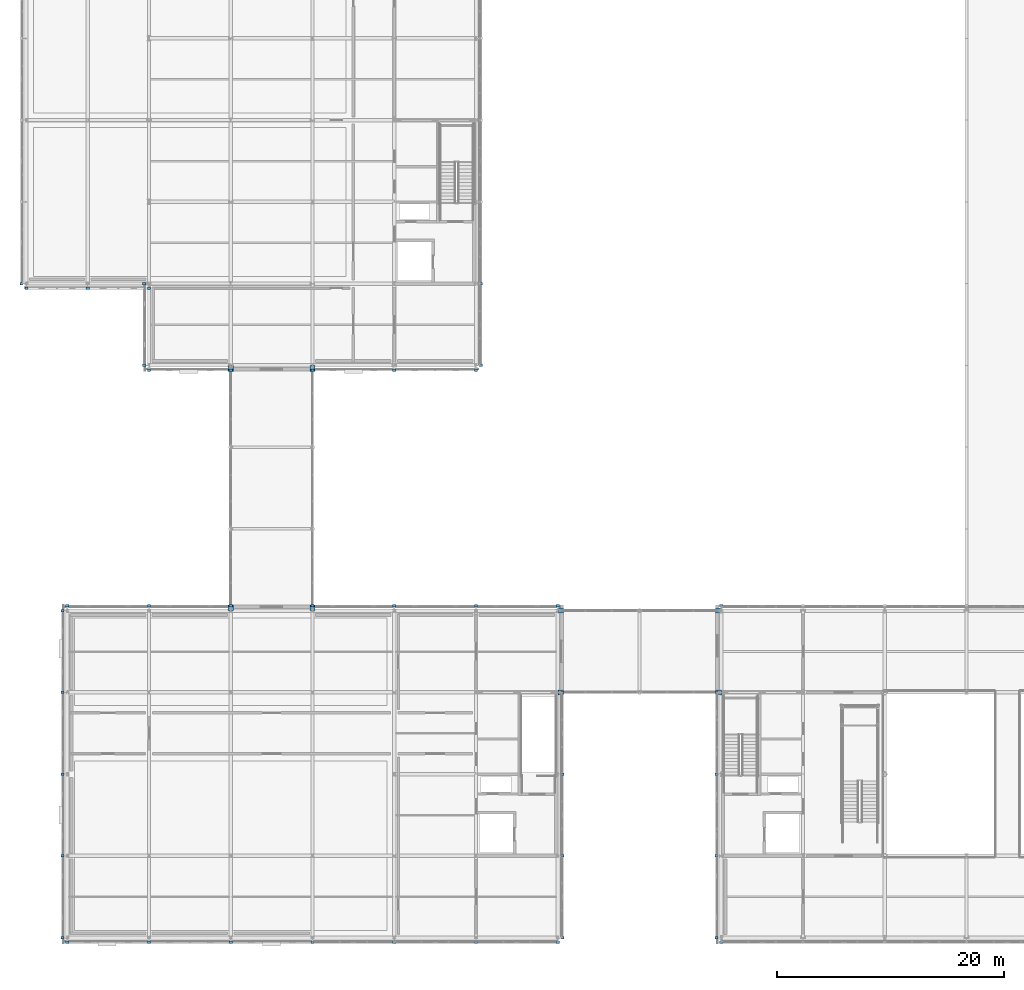
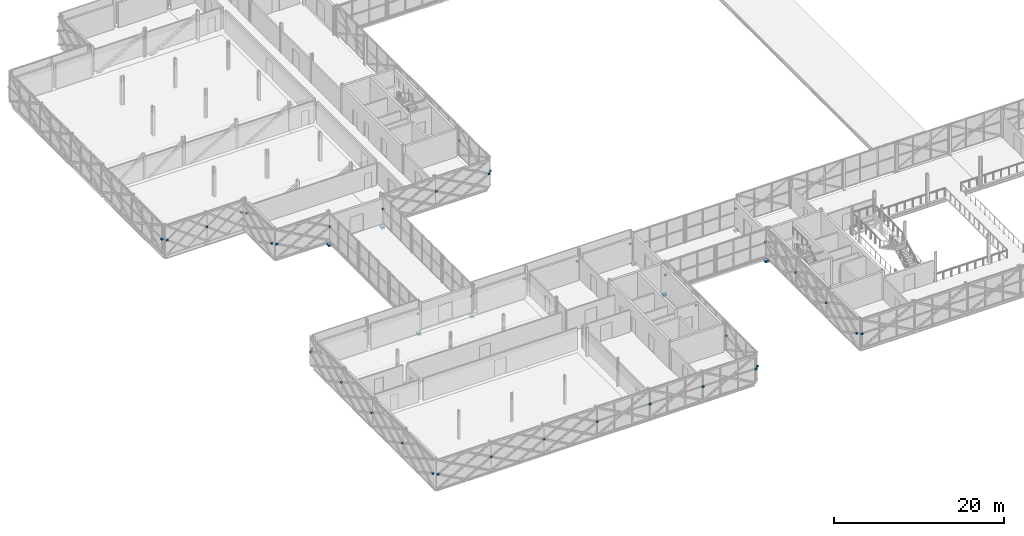
# One storey, part 111 of 126: 50 discrete accessories.
"""IFC4 building model written with IfcOpenShell, lengths in metres."""

from ifc_helpers import new_model, si_unit, direction, frame, origin, origin_2d, place, context, subcontext, project, spatial, rectangle, extrude, material, type_object, element, save


model = new_model("IFC4")

# Units and contexts
model_context = context("Model", 3, precision=1e-05, world=origin(), true_north=direction((0.0, 1.0)))
body_context = subcontext(model_context, "Body", "Model", "MODEL_VIEW")
ifc_project = project(units=[si_unit("LENGTHUNIT", "METRE"), si_unit("AREAUNIT", "SQUARE_METRE"), si_unit("VOLUMEUNIT", "CUBIC_METRE"), si_unit("PLANEANGLEUNIT", "RADIAN"), si_unit("MASSUNIT", "GRAM", prefix="KILO")], contexts=[model_context])

# Site, building, storey
site_placement = place(None, origin())
site = spatial("IfcSite", under=ifc_project, at=site_placement, CompositionType="ELEMENT")
building_placement = place(site_placement, origin())
building = spatial("IfcBuilding", under=site, at=building_placement, Name="Zlatovets Crest Museum", CompositionType="ELEMENT")
storey_placement = place(building_placement, frame((0.0, 0.0, 8.699951171875)))
storey = spatial("IfcBuildingStorey", under=building, at=storey_placement, Name="L02", CompositionType="ELEMENT", Elevation=8.699951171875)

# Discrete accessories
ifc_material = material(Name="Structural steel S355J2", Category="steel")
discrete_accessory_type_1 = type_object("IfcDiscreteAccessoryType", Name="BridgeBearingSeat_BS01", PredefinedType="SHOE", material=ifc_material)
for number, where, z_axis, x_axis, name in (
    (1, (43.4599609375, 21.60009765625, -0.7998046875), (0.0, 0.0, 1.0), (1.0, 0.0, 0.0), "South Forecourt Glazed Link Bridge L02 520mm Sliding Bearing Seat Corbel Shoe"),
    (2, (43.4599609375, 28.800048828125, -0.7998046875), (0.0, 0.0, 1.0), (1.0, 0.0, 0.0), "South Forecourt Glazed Link Bridge L02 520mm Sliding Bearing Seat Corbel Shoe"),
    (3, (57.340087890625, 21.60009765625, -0.7998046875), (0.0, 0.0, 1.0), (1.0, 0.0, 0.0), "South Forecourt Glazed Link Bridge L02 520mm Sliding Bearing Seat Corbel Shoe"),
    (4, (57.340087890625, 28.800048828125, -0.7998046875), (0.0, 0.0, 1.0), (1.0, 0.0, 0.0), "South Forecourt Glazed Link Bridge L02 520mm Sliding Bearing Seat Corbel Shoe"),
):
    element("IfcDiscreteAccessory", number, at=place(storey_placement, frame(where, z_axis=z_axis, x_axis=x_axis)), inside=storey, type_object=discrete_accessory_type_1, Name=name, PredefinedType="SHOE", context=body_context, shape_type="SweptSolid", body=[
        extrude(rectangle(XDim=0.52001953125, YDim=0.449951171875, at=origin_2d()), origin(), (0.0, 0.0, 1.0), 0.280029296875),
    ])
for number, where, z_axis, x_axis, name in (
    (5, (14.39990234375, 29.06005859375, -0.759765625), (0.0, 0.0, 1.0), (1.0, 0.0, 0.0), "West Hillside Glazed Link Bridge L02 520mm Sliding Bearing Seat Corbel Shoe"),
    (6, (21.60009765625, 29.06005859375, -0.759765625), (0.0, 0.0, 1.0), (1.0, 0.0, 0.0), "West Hillside Glazed Link Bridge L02 520mm Sliding Bearing Seat Corbel Shoe"),
    (7, (14.39990234375, 50.139892578125, -0.759765625), (0.0, 0.0, 1.0), (1.0, 0.0, 0.0), "West Hillside Glazed Link Bridge L02 520mm Sliding Bearing Seat Corbel Shoe"),
    (8, (21.60009765625, 50.139892578125, -0.759765625), (0.0, 0.0, 1.0), (1.0, 0.0, 0.0), "West Hillside Glazed Link Bridge L02 520mm Sliding Bearing Seat Corbel Shoe"),
):
    element("IfcDiscreteAccessory", number, at=place(storey_placement, frame(where, z_axis=z_axis, x_axis=x_axis)), inside=storey, type_object=discrete_accessory_type_1, Name=name, PredefinedType="SHOE", context=body_context, shape_type="SweptSolid", body=[
        extrude(rectangle(XDim=0.449951171875, YDim=0.52001953125, at=origin_2d()), origin(), (0.0, 0.0, 1.0), 0.280029296875),
    ])
discrete_accessory_type_2 = type_object("IfcDiscreteAccessoryType", Name="LatticeBracket_BK01", PredefinedType="BRACKET", material=ifc_material)
for number, where, z_axis, x_axis, name in (
    (9, (57.60009765625, -0.419921875, 1.990234375), (0.0, 0.0, 1.0), (1.0, 0.0, 0.0), "Bronze Lattice Structural Collector Bracket"),
    (10, (57.60009765625, 29.219970703125, 1.990234375), (0.0, 0.0, 1.0), (1.0, 0.0, 0.0), "Bronze Lattice Structural Collector Bracket"),
    (11, (57.179931640625, 21.60009765625, 1.990234375), (0.0, 0.0, 1.0), (1.0, 0.0, 0.0), "Bronze Lattice Structural Collector Bracket"),
    (12, (57.179931640625, 14.39990234375, 1.990234375), (0.0, 0.0, 1.0), (1.0, 0.0, 0.0), "Bronze Lattice Structural Collector Bracket"),
    (13, (57.179931640625, 7.199951171875, 1.990234375), (0.0, 0.0, 1.0), (1.0, 0.0, 0.0), "Bronze Lattice Structural Collector Bracket"),
    (14, (57.179931640625, 0.0, 1.990234375), (0.0, 0.0, 1.0), (1.0, 0.0, 0.0), "Bronze Lattice Structural Collector Bracket"),
    (15, (0.0, -0.419921875, 1.990234375), (0.0, 0.0, 1.0), (1.0, 0.0, 0.0), "Bronze Lattice Structural Collector Bracket"),
    (16, (7.199951171875, -0.419921875, 1.990234375), (0.0, 0.0, 1.0), (1.0, 0.0, 0.0), "Bronze Lattice Structural Collector Bracket"),
    (17, (14.39990234375, -0.419921875, 1.990234375), (0.0, 0.0, 1.0), (1.0, 0.0, 0.0), "Bronze Lattice Structural Collector Bracket"),
    (18, (21.60009765625, -0.419921875, 1.990234375), (0.0, 0.0, 1.0), (1.0, 0.0, 0.0), "Bronze Lattice Structural Collector Bracket"),
    (19, (28.800048828125, -0.419921875, 1.990234375), (0.0, 0.0, 1.0), (1.0, 0.0, 0.0), "Bronze Lattice Structural Collector Bracket"),
    (20, (36.0, -0.419921875, 1.990234375), (0.0, 0.0, 1.0), (1.0, 0.0, 0.0), "Bronze Lattice Structural Collector Bracket"),
    (21, (43.199951171875, -0.419921875, 1.990234375), (0.0, 0.0, 1.0), (1.0, 0.0, 0.0), "Bronze Lattice Structural Collector Bracket"),
    (22, (43.6201171875, 0.0, 1.990234375), (0.0, 0.0, 1.0), (1.0, 0.0, 0.0), "Bronze Lattice Structural Collector Bracket"),
    (23, (43.6201171875, 7.199951171875, 1.990234375), (0.0, 0.0, 1.0), (1.0, 0.0, 0.0), "Bronze Lattice Structural Collector Bracket"),
    (24, (43.6201171875, 14.39990234375, 1.990234375), (0.0, 0.0, 1.0), (1.0, 0.0, 0.0), "Bronze Lattice Structural Collector Bracket"),
    (25, (43.6201171875, 21.60009765625, 1.990234375), (0.0, 0.0, 1.0), (1.0, 0.0, 0.0), "Bronze Lattice Structural Collector Bracket"),
    (26, (43.199951171875, 29.219970703125, 1.990234375), (0.0, 0.0, 1.0), (1.0, 0.0, 0.0), "Bronze Lattice Structural Collector Bracket"),
    (27, (36.0, 29.219970703125, 1.990234375), (0.0, 0.0, 1.0), (1.0, 0.0, 0.0), "Bronze Lattice Structural Collector Bracket"),
    (28, (28.800048828125, 29.219970703125, 1.990234375), (0.0, 0.0, 1.0), (1.0, 0.0, 0.0), "Bronze Lattice Structural Collector Bracket"),
    (29, (21.60009765625, 29.219970703125, 1.990234375), (0.0, 0.0, 1.0), (1.0, 0.0, 0.0), "Bronze Lattice Structural Collector Bracket"),
    (30, (14.39990234375, 29.219970703125, 1.990234375), (0.0, 0.0, 1.0), (1.0, 0.0, 0.0), "Bronze Lattice Structural Collector Bracket"),
    (31, (7.199951171875, 29.219970703125, 1.990234375), (0.0, 0.0, 1.0), (1.0, 0.0, 0.0), "Bronze Lattice Structural Collector Bracket"),
    (32, (0.0, 29.219970703125, 1.990234375), (0.0, 0.0, 1.0), (1.0, 0.0, 0.0), "Bronze Lattice Structural Collector Bracket"),
    (33, (-0.419921875, 28.800048828125, 1.990234375), (0.0, 0.0, 1.0), (1.0, 0.0, 0.0), "Bronze Lattice Structural Collector Bracket"),
    (34, (-0.419921875, 21.60009765625, 1.990234375), (0.0, 0.0, 1.0), (1.0, 0.0, 0.0), "Bronze Lattice Structural Collector Bracket"),
    (35, (-0.419921875, 14.39990234375, 1.990234375), (0.0, 0.0, 1.0), (1.0, 0.0, 0.0), "Bronze Lattice Structural Collector Bracket"),
    (36, (-0.419921875, 7.199951171875, 1.990234375), (0.0, 0.0, 1.0), (1.0, 0.0, 0.0), "Bronze Lattice Structural Collector Bracket"),
    (37, (-0.419921875, 0.0, 1.990234375), (0.0, 0.0, 1.0), (1.0, 0.0, 0.0), "Bronze Lattice Structural Collector Bracket"),
    (38, (7.199951171875, 49.97998046875, 1.990234375), (0.0, 0.0, 1.0), (1.0, 0.0, 0.0), "Bronze Lattice Structural Collector Bracket"),
    (39, (14.39990234375, 49.97998046875, 1.990234375), (0.0, 0.0, 1.0), (1.0, 0.0, 0.0), "Bronze Lattice Structural Collector Bracket"),
    (40, (21.60009765625, 49.97998046875, 1.990234375), (0.0, 0.0, 1.0), (1.0, 0.0, 0.0), "Bronze Lattice Structural Collector Bracket"),
    (41, (28.800048828125, 49.97998046875, 1.990234375), (0.0, 0.0, 1.0), (1.0, 0.0, 0.0), "Bronze Lattice Structural Collector Bracket"),
    (42, (36.0, 49.97998046875, 1.990234375), (0.0, 0.0, 1.0), (1.0, 0.0, 0.0), "Bronze Lattice Structural Collector Bracket"),
    (43, (36.419921875, 50.39990234375, 1.990234375), (0.0, 0.0, 1.0), (1.0, 0.0, 0.0), "Bronze Lattice Structural Collector Bracket"),
    (44, (36.419921875, 57.60009765625, 1.990234375), (0.0, 0.0, 1.0), (1.0, 0.0, 0.0), "Bronze Lattice Structural Collector Bracket"),
    (45, (-4.02001953125, 57.60009765625, 1.990234375), (0.0, 0.0, 1.0), (1.0, 0.0, 0.0), "Bronze Lattice Structural Collector Bracket"),
    (46, (-3.60009765625, 57.179931640625, 1.990234375), (0.0, 0.0, 1.0), (1.0, 0.0, 0.0), "Bronze Lattice Structural Collector Bracket"),
    (47, (1.800048828125, 57.179931640625, 1.990234375), (0.0, 0.0, 1.0), (1.0, 0.0, 0.0), "Bronze Lattice Structural Collector Bracket"),
    (48, (7.199951171875, 57.179931640625, 1.990234375), (0.0, 0.0, 1.0), (1.0, 0.0, 0.0), "Bronze Lattice Structural Collector Bracket"),
    (49, (6.780029296875, 57.60009765625, 1.990234375), (0.0, 0.0, 1.0), (1.0, 0.0, 0.0), "Bronze Lattice Structural Collector Bracket"),
    (50, (6.780029296875, 50.39990234375, 1.990234375), (0.0, 0.0, 1.0), (1.0, 0.0, 0.0), "Bronze Lattice Structural Collector Bracket"),
):
    element("IfcDiscreteAccessory", number, at=place(storey_placement, frame(where, z_axis=z_axis, x_axis=x_axis)), inside=storey, type_object=discrete_accessory_type_2, Name=name, PredefinedType="BRACKET", context=body_context, shape_type="SweptSolid", body=[
        extrude(rectangle(XDim=0.280029296875, YDim=0.219970703125, at=origin_2d()), origin(), (0.0, 0.0, 1.0), 0.219970703125),
    ])

save(model, "model.ifc")
